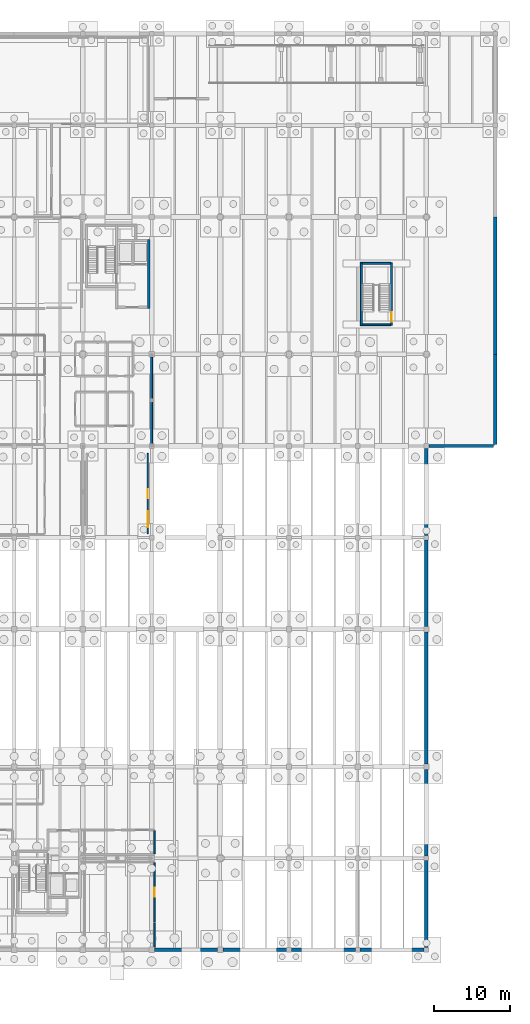
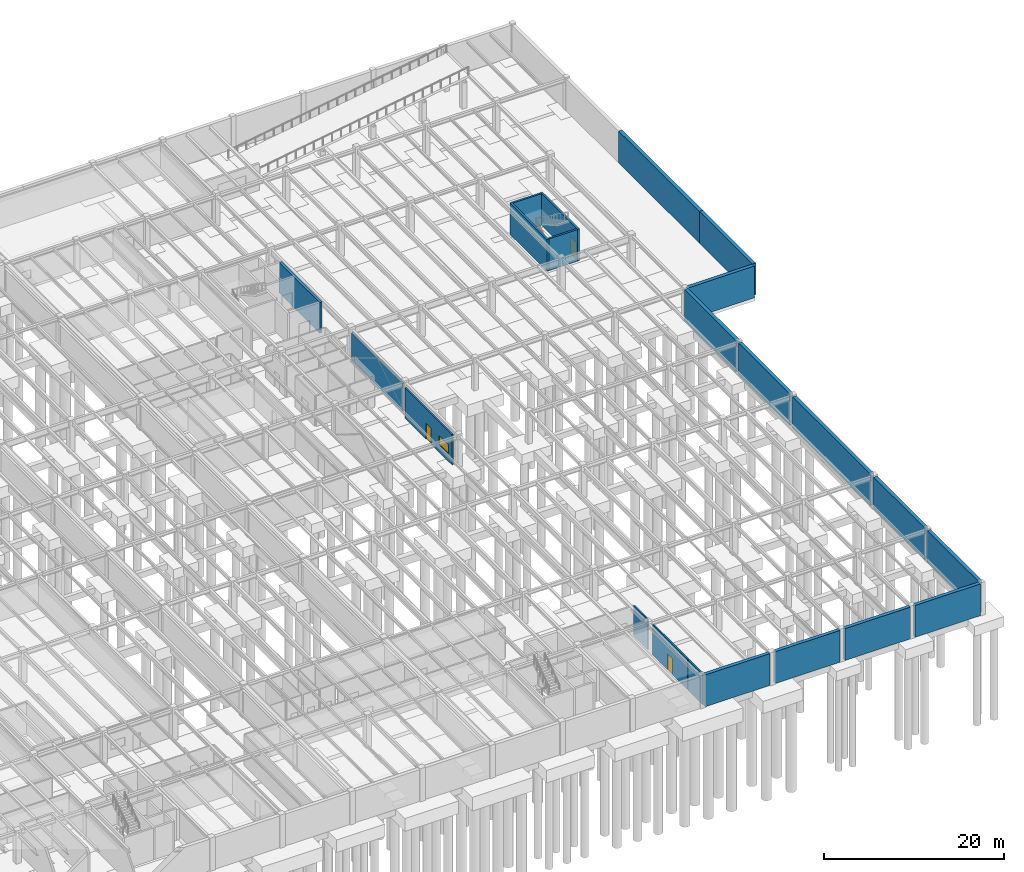
# One storey, part 34 of 40: 22 walls, 3 doors, 1 window, 4 openings.
"""IFC4 building model written with IfcOpenShell, lengths in metres."""

from ifc_helpers import new_model, si_unit, direction, frame, frame_2d, origin, place, context, subcontext, project, spatial, rectangle, extrude, material, layer, layer_set, type_object, element, fill, save


model = new_model("IFC4")

# Units and contexts
model_context = context("Model", 3, precision=1e-05, world=origin(), true_north=direction((0.0, 1.0)))
body_context = subcontext(model_context, "Body", "Model", "MODEL_VIEW")
ifc_project = project(units=[si_unit("LENGTHUNIT", "METRE"), si_unit("AREAUNIT", "SQUARE_METRE"), si_unit("VOLUMEUNIT", "CUBIC_METRE"), si_unit("PLANEANGLEUNIT", "RADIAN"), si_unit("MASSUNIT", "GRAM", prefix="KILO")], contexts=[model_context])

# Site, building, storey
site_placement = place(None, origin())
site = spatial("IfcSite", under=ifc_project, at=site_placement, CompositionType="ELEMENT")
building_placement = place(site_placement, origin())
building = spatial("IfcBuilding", under=site, at=building_placement, Name="Montelvaro Courts of Justice", CompositionType="ELEMENT")
storey_placement = place(building_placement, frame((0.0, 0.0, -4.5)))
storey = spatial("IfcBuildingStorey", under=building, at=storey_placement, Name="B01", CompositionType="ELEMENT", Elevation=-4.5)

# Walls
ifc_material_1 = material(Name="Concrete C40/50", Category="concrete")
ifc_layer_1 = layer(ifc_material_1, 0.320068359375)
ifc_layer_set_1 = layer_set([ifc_layer_1], Name="Concrete C40/50")
wall_type_1 = type_object("IfcWallType", Name="CoreWall_320", PredefinedType="SHEAR", material=ifc_layer_set_1)
wall_1_placement = place(storey_placement, frame((125.60009765625, 84.0, 0.0), z_axis=(0.0, 0.0, 1.0), x_axis=(0.0, 1.0, 0.0)))
element("IfcWall", 1, at=wall_1_placement, inside=storey, type_object=wall_type_1, Name="Core Shear Wall CW-02 K3-E (B01)", PredefinedType="SHEAR", context=body_context, shape_type="SweptSolid", body=[
    extrude(rectangle(XDim=9.0400390625, YDim=0.320068359375, at=frame_2d((4.52001953125, 0.0))), origin(), (0.0, 0.0, 1.0), 4.159912109375),
])
ifc_material_2 = material(Name="Fire-rated gypsum and steel stud", Category="steel")
ifc_layer_2 = layer(ifc_material_2, 0.179931640625)
ifc_layer_set_2 = layer_set([ifc_layer_2], Name="Fire-rated gypsum and steel stud")
wall_type_2 = type_object("IfcWallType", Name="CorridorFireWall_180", PredefinedType="PARTITIONING", material=ifc_layer_set_2)
wall_2_placement = place(storey_placement, frame((126.39990234375, 3.52001953125, 0.0), z_axis=(0.0, 0.0, 1.0), x_axis=(0.0, -1.0, 0.0)))
element("IfcWall", 2, at=wall_2_placement, inside=storey, type_object=wall_type_2, Name="Interior Partition IW-02 (B01)", PredefinedType="PARTITIONING", context=body_context, shape_type="SweptSolid", body=[
    extrude(rectangle(XDim=3.174072265625, YDim=0.179931640625, at=frame_2d((1.5869140625, 0.0))), origin(), (0.0, 0.0, 1.0), 4.139892578125),
])

# Wall, opening, door
wall_3_placement = place(storey_placement, frame((126.39990234375, 11.419921875, 0.0), z_axis=(0.0, 0.0, 1.0), x_axis=(0.0, -1.0, 0.0)))
wall_3 = element("IfcWall", 3, at=wall_3_placement, inside=storey, type_object=wall_type_2, Name="Interior Partition IW-02 (B01)", PredefinedType="PARTITIONING", context=body_context, shape_type="SweptSolid", body=[
    extrude(rectangle(XDim=7.739990234375, YDim=0.179931640625, at=frame_2d((3.8701171875, 0.0))), origin(), (0.0, 0.0, 1.0), 4.139892578125),
])
opening_1_placement = place(wall_3_placement, frame((3.294921875, 0.0, 0.0)))
opening_1 = element("IfcOpeningElement", 4, at=opening_1_placement, cuts=wall_3, Name="Opening D-B01-016", PredefinedType="OPENING", context=body_context, shape_type="SweptSolid", body=[
    extrude(rectangle(XDim=1.14990234375, YDim=2.14990234375, at=frame_2d((0.574951171875, 1.074951171875))), frame((0.0, 0.10498046875, 0.0), z_axis=(0.0, -1.0, 0.0), x_axis=(1.0, 0.0, 0.0)), (0.0, 0.0, 1.0), 0.209716796875),
])
ifc_material_3 = material(Name="Galvanised steel S355 security door", Category="steel")
door_type_1 = type_object("IfcDoorType", Name="CustodyDoor_115x215", OperationType="NOTDEFINED", PredefinedType="DOOR", material=ifc_material_3)
door_1_placement = place(opening_1_placement, origin())
door_1 = element("IfcDoor", 5, at=door_1_placement, inside=storey, type_object=door_type_1, Name="Interior Door D-B01-016 (Archive Conservation Room)", OperationType="SINGLE_SWING_RIGHT", OverallHeight=2.14990234375, OverallWidth=1.14990234375, PredefinedType="DOOR", context=body_context, shape_type="SweptSolid", body=[
    extrude(rectangle(XDim=1.14990234375, YDim=2.14990234375, at=frame_2d((0.574951171875, 1.074951171875))), frame((0.0, 0.02490234375, 0.0), z_axis=(0.0, -1.0, 0.0), x_axis=(1.0, 0.0, 0.0)), (0.0, 0.0, 1.0), 0.050048828125),
])
fill(opening_1, door_1)

# Wall
wall_4_placement = place(storey_placement, frame((126.39990234375, 15.6201171875, 0.0), z_axis=(0.0, 0.0, 1.0), x_axis=(0.0, -1.0, 0.0)))
element("IfcWall", 6, at=wall_4_placement, inside=storey, type_object=wall_type_2, Name="Interior Partition IW-02 (B01)", PredefinedType="PARTITIONING", context=body_context, shape_type="SweptSolid", body=[
    extrude(rectangle(XDim=3.0400390625, YDim=0.179931640625, at=frame_2d((1.52001953125, 0.0))), origin(), (0.0, 0.0, 1.0), 4.139892578125),
])

# Wall, openings, door, window
wall_5_placement = place(storey_placement, frame((125.5, 65.02001953125, 0.0), z_axis=(0.0, 0.0, 1.0), x_axis=(0.0, -1.0, 0.0)))
wall_5 = element("IfcWall", 7, at=wall_5_placement, inside=storey, type_object=wall_type_2, Name="Interior Partition IW-02 (B01)", PredefinedType="PARTITIONING", context=body_context, shape_type="SweptSolid", body=[
    extrude(rectangle(XDim=10.5400390625, YDim=0.179931640625, at=frame_2d((5.27001953125, 0.0))), origin(), (0.0, 0.0, 1.0), 4.139892578125),
])
opening_2_placement = place(wall_5_placement, frame((4.695068359375, 0.0, 0.0)))
opening_2 = element("IfcOpeningElement", 8, at=opening_2_placement, cuts=wall_5, Name="Opening D-B01-019", PredefinedType="OPENING", context=body_context, shape_type="SweptSolid", body=[
    extrude(rectangle(XDim=1.14990234375, YDim=2.14990234375, at=frame_2d((0.574951171875, 1.074951171875))), frame((0.0, 0.10498046875, 0.0), z_axis=(0.0, -1.0, 0.0), x_axis=(1.0, 0.0, 0.0)), (0.0, 0.0, 1.0), 0.209716796875),
])
opening_3_placement = place(wall_5_placement, frame((7.590087890625, 0.0, 1.050048828125)))
opening_3 = element("IfcOpeningElement", 9, at=opening_3_placement, cuts=wall_5, Name="Opening WI-04", PredefinedType="OPENING", context=body_context, shape_type="SweptSolid", body=[
    extrude(rectangle(XDim=2.10009765625, YDim=1.199951171875, at=frame_2d((1.050048828125, 0.60009765625))), frame((0.0, 0.10498046875, 0.0), z_axis=(0.0, -1.0, 0.0), x_axis=(1.0, 0.0, 0.0)), (0.0, 0.0, 1.0), 0.209716796875),
])
door_2_placement = place(opening_2_placement, frame((1.14990234375, 0.0, 0.0), z_axis=(0.0, 0.0, 1.0), x_axis=(-1.0, 0.0, 0.0)))
door_2 = element("IfcDoor", 10, at=door_2_placement, inside=storey, type_object=door_type_1, Name="Interior Door D-B01-019 (Mechanical Chiller and Pump Plant Room)", OperationType="SINGLE_SWING_RIGHT", OverallHeight=2.14990234375, OverallWidth=1.14990234375, PredefinedType="DOOR", context=body_context, shape_type="SweptSolid", body=[
    extrude(rectangle(XDim=1.14990234375, YDim=2.14990234375, at=frame_2d((0.574951171875, 1.074951171875))), frame((0.0, 0.02490234375, 0.0), z_axis=(0.0, -1.0, 0.0), x_axis=(1.0, 0.0, 0.0)), (0.0, 0.0, 1.0), 0.050048828125),
])
fill(opening_2, door_2)
ifc_material_4 = material(Name="Acoustic laminated double glazing", Category="glass")
window_type = type_object("IfcWindowType", Name="IntVision_210x120", PartitioningType="SINGLE_PANEL", PredefinedType="WINDOW", material=ifc_material_4)
window_placement = place(opening_3_placement, origin())
window = element("IfcWindow", 11, at=window_placement, inside=storey, type_object=window_type, Name="Interior Vision Panel WI-012", OverallHeight=1.199951171875, OverallWidth=2.10009765625, PartitioningType="SINGLE_PANEL", PredefinedType="WINDOW", context=body_context, shape_type="SweptSolid", body=[
    extrude(rectangle(XDim=2.10009765625, YDim=1.199951171875, at=frame_2d((1.050048828125, 0.60009765625))), frame((0.0, 0.030029296875, 0.0), z_axis=(0.0, -1.0, 0.0), x_axis=(1.0, 0.0, 0.0)), (0.0, 0.0, 1.0), 0.06005859375),
])
fill(opening_3, window)

# Walls
ifc_material_5 = material(Name="Concrete C35/45", Category="concrete")
ifc_layer_3 = layer(ifc_material_5, 0.449951171875)
ifc_layer_set_3 = layer_set([ifc_layer_3], Name="Concrete C35/45")
wall_type_3 = type_object("IfcWallType", Name="RetainingWall_450", PredefinedType="USERDEFINED", material=ifc_layer_set_3)
wall_6_placement = place(storey_placement, frame((126.345947265625, 0.0, 0.0), z_axis=(0.0, 0.0, 1.0), x_axis=(1.0, 0.0, 0.0)))
element("IfcWall", 12, at=wall_6_placement, inside=storey, type_object=wall_type_3, Name="Basement Plinth Retaining Wall RW-01-004", ObjectType="RETAININGWALL", PredefinedType="USERDEFINED", context=body_context, shape_type="SweptSolid", body=[
    extrude(rectangle(XDim=8.307861328125, YDim=0.449951171875, at=frame_2d((4.15380859375, 0.0))), origin(), (0.0, 0.0, 1.0), 4.320068359375),
])
wall_7_placement = place(storey_placement, frame((135.3662109375, 0.0, 0.0), z_axis=(0.0, 0.0, 1.0), x_axis=(1.0, 0.0, 0.0)))
element("IfcWall", 13, at=wall_7_placement, inside=storey, type_object=wall_type_3, Name="Basement Plinth Retaining Wall RW-01-005", ObjectType="RETAININGWALL", PredefinedType="USERDEFINED", context=body_context, shape_type="SweptSolid", body=[
    extrude(rectangle(XDim=8.337890625, YDim=0.449951171875, at=frame_2d((4.1689453125, 0.0))), origin(), (0.0, 0.0, 1.0), 4.320068359375),
])
wall_8_placement = place(storey_placement, frame((144.2958984375, 0.0, 0.0), z_axis=(0.0, 0.0, 1.0), x_axis=(1.0, 0.0, 0.0)))
element("IfcWall", 14, at=wall_8_placement, inside=storey, type_object=wall_type_3, Name="Basement Plinth Retaining Wall RW-01-006", ObjectType="RETAININGWALL", PredefinedType="USERDEFINED", context=body_context, shape_type="SweptSolid", body=[
    extrude(rectangle(XDim=8.408203125, YDim=0.449951171875, at=frame_2d((4.2041015625, 0.0))), origin(), (0.0, 0.0, 1.0), 4.320068359375),
])
wall_9_placement = place(storey_placement, frame((153.2958984375, 0.0, 0.0), z_axis=(0.0, 0.0, 1.0), x_axis=(1.0, 0.0, 0.0)))
element("IfcWall", 15, at=wall_9_placement, inside=storey, type_object=wall_type_3, Name="Basement Plinth Retaining Wall RW-01-007", ObjectType="RETAININGWALL", PredefinedType="USERDEFINED", context=body_context, shape_type="SweptSolid", body=[
    extrude(rectangle(XDim=8.407958984375, YDim=0.449951171875, at=frame_2d((4.2041015625, 0.0))), origin(), (0.0, 0.0, 1.0), 4.320068359375),
])
wall_10_placement = place(storey_placement, frame((162.0, 0.296142578125, 0.0), z_axis=(0.0, 0.0, 1.0), x_axis=(0.0, 1.0, 0.0)))
element("IfcWall", 16, at=wall_10_placement, inside=storey, type_object=wall_type_3, Name="Basement Plinth Retaining Wall RW-01-008", ObjectType="RETAININGWALL", PredefinedType="USERDEFINED", context=body_context, shape_type="SweptSolid", body=[
    extrude(rectangle(XDim=11.407958984375, YDim=0.449951171875, at=frame_2d((5.7041015625, 0.0))), origin(), (0.0, 0.0, 1.0), 4.320068359375),
])
wall_11_placement = place(storey_placement, frame((162.0, 12.2958984375, 0.0), z_axis=(0.0, 0.0, 1.0), x_axis=(0.0, 1.0, 0.0)))
element("IfcWall", 17, at=wall_11_placement, inside=storey, type_object=wall_type_3, Name="Basement Plinth Retaining Wall RW-01-009", ObjectType="RETAININGWALL", PredefinedType="USERDEFINED", context=body_context, shape_type="SweptSolid", body=[
    extrude(rectangle(XDim=11.358154296875, YDim=0.449951171875, at=frame_2d((5.67919921875, 0.0))), origin(), (0.0, 0.0, 1.0), 4.320068359375),
])
wall_12_placement = place(storey_placement, frame((162.0, 24.345947265625, 0.0), z_axis=(0.0, 0.0, 1.0), x_axis=(0.0, 1.0, 0.0)))
element("IfcWall", 18, at=wall_12_placement, inside=storey, type_object=wall_type_3, Name="Basement Plinth Retaining Wall RW-01-010", ObjectType="RETAININGWALL", PredefinedType="USERDEFINED", context=body_context, shape_type="SweptSolid", body=[
    extrude(rectangle(XDim=17.30810546875, YDim=0.449951171875, at=frame_2d((8.654052734375, 0.0))), origin(), (0.0, 0.0, 1.0), 4.320068359375),
])
wall_13_placement = place(storey_placement, frame((162.0, 42.345947265625, 0.0), z_axis=(0.0, 0.0, 1.0), x_axis=(0.0, 1.0, 0.0)))
element("IfcWall", 19, at=wall_13_placement, inside=storey, type_object=wall_type_3, Name="Basement Plinth Retaining Wall RW-01-011", ObjectType="RETAININGWALL", PredefinedType="USERDEFINED", context=body_context, shape_type="SweptSolid", body=[
    extrude(rectangle(XDim=11.358154296875, YDim=0.449951171875, at=frame_2d((5.67919921875, 0.0))), origin(), (0.0, 0.0, 1.0), 4.320068359375),
])
wall_14_placement = place(storey_placement, frame((162.0, 54.2958984375, 0.0), z_axis=(0.0, 0.0, 1.0), x_axis=(0.0, 1.0, 0.0)))
element("IfcWall", 20, at=wall_14_placement, inside=storey, type_object=wall_type_3, Name="Basement Plinth Retaining Wall RW-01-012", ObjectType="RETAININGWALL", PredefinedType="USERDEFINED", context=body_context, shape_type="SweptSolid", body=[
    extrude(rectangle(XDim=11.398193359375, YDim=0.449951171875, at=frame_2d((5.69921875, 0.0))), origin(), (0.0, 0.0, 1.0), 4.320068359375),
])
wall_15_placement = place(storey_placement, frame((162.305908203125, 66.0, 0.0), z_axis=(0.0, 0.0, 1.0), x_axis=(1.0, 0.0, 0.0)))
element("IfcWall", 21, at=wall_15_placement, inside=storey, type_object=wall_type_3, Name="Basement Plinth Retaining Wall RW-01-013", ObjectType="RETAININGWALL", PredefinedType="USERDEFINED", context=body_context, shape_type="SweptSolid", body=[
    extrude(rectangle(XDim=8.468994140625, YDim=0.449951171875, at=frame_2d((4.234375, 0.0))), origin(), (0.0, 0.0, 1.0), 4.320068359375),
])
wall_16_placement = place(storey_placement, frame((171.0, 66.22509765625, 0.0), z_axis=(0.0, 0.0, 1.0), x_axis=(0.0, 1.0, 0.0)))
element("IfcWall", 22, at=wall_16_placement, inside=storey, type_object=wall_type_3, Name="Basement Plinth Retaining Wall RW-01-014", ObjectType="RETAININGWALL", PredefinedType="USERDEFINED", context=body_context, shape_type="SweptSolid", body=[
    extrude(rectangle(XDim=11.77490234375, YDim=0.449951171875, at=frame_2d((5.887451171875, 0.0))), origin(), (0.0, 0.0, 1.0), 4.320068359375),
])
wall_17_placement = place(storey_placement, frame((171.0, 78.0, 0.0), z_axis=(0.0, 0.0, 1.0), x_axis=(0.0, 1.0, 0.0)))
element("IfcWall", 23, at=wall_17_placement, inside=storey, type_object=wall_type_3, Name="Basement Plinth Retaining Wall RW-01-015", ObjectType="RETAININGWALL", PredefinedType="USERDEFINED", context=body_context, shape_type="SweptSolid", body=[
    extrude(rectangle(XDim=18.0, YDim=0.449951171875, at=frame_2d((9.0, 0.0))), origin(), (0.0, 0.0, 1.0), 4.320068359375),
])
ifc_layer_4 = layer(ifc_material_5, 0.239990234375)
ifc_layer_set_4 = layer_set([ifc_layer_4], Name="Concrete C35/45")
wall_type_4 = type_object("IfcWallType", Name="ShaftWall_240", PredefinedType="SHEAR", material=ifc_layer_set_4)
wall_18_placement = place(storey_placement, frame((153.47998046875, 81.760009765625, 0.0), z_axis=(0.0, 0.0, 1.0), x_axis=(0.0, 1.0, 0.0)))
element("IfcWall", 24, at=wall_18_placement, inside=storey, type_object=wall_type_4, Name="Protected Stair Structural Wall ST-V2-W (B01)", PredefinedType="SHEAR", context=body_context, shape_type="SweptSolid", body=[
    extrude(rectangle(XDim=8.280029296875, YDim=0.239990234375, at=frame_2d((4.14013671875, 0.0))), origin(), (0.0, 0.0, 1.0), 4.31005859375),
])

# Wall, opening, door
wall_19_placement = place(storey_placement, frame((157.419921875, 81.760009765625, 0.0), z_axis=(0.0, 0.0, 1.0), x_axis=(0.0, 1.0, 0.0)))
wall_19 = element("IfcWall", 25, at=wall_19_placement, inside=storey, type_object=wall_type_4, Name="Protected Stair Structural Wall ST-V2-E (B01)", PredefinedType="SHEAR", context=body_context, shape_type="SweptSolid", body=[
    extrude(rectangle(XDim=8.280029296875, YDim=0.239990234375, at=frame_2d((4.14013671875, 0.0))), origin(), (0.0, 0.0, 1.0), 4.31005859375),
])
opening_4_placement = place(wall_19_placement, frame((0.489990234375, 0.0, 0.0)))
opening_4 = element("IfcOpeningElement", 26, at=opening_4_placement, cuts=wall_19, Name="Opening DS-B01-SV2", PredefinedType="OPENING", context=body_context, shape_type="SweptSolid", body=[
    extrude(rectangle(XDim=1.300048828125, YDim=2.199951171875, at=frame_2d((0.64990234375, 1.10009765625))), frame((0.0, 0.134765625, 0.0), z_axis=(0.0, -1.0, 0.0), x_axis=(1.0, 0.0, 0.0)), (0.0, 0.0, 1.0), 0.269775390625),
])
door_type_2 = type_object("IfcDoorType", Name="StairFireDoor_130x220", OperationType="NOTDEFINED", PredefinedType="DOOR", material=ifc_material_3)
door_3_placement = place(opening_4_placement, frame((1.300048828125, 0.0, 0.0), z_axis=(0.0, 0.0, 1.0), x_axis=(-1.0, 0.0, 0.0)))
door_3 = element("IfcDoor", 27, at=door_3_placement, inside=storey, type_object=door_type_2, Name="Protected Stair Fire Door DS-B01-SV2", OperationType="SINGLE_SWING_RIGHT", OverallHeight=2.199951171875, OverallWidth=1.300048828125, PredefinedType="DOOR", context=body_context, shape_type="SweptSolid", body=[
    extrude(rectangle(XDim=1.300048828125, YDim=2.199951171875, at=frame_2d((0.64990234375, 1.10009765625))), frame((0.0, 0.02490234375, 0.0), z_axis=(0.0, -1.0, 0.0), x_axis=(1.0, 0.0, 0.0)), (0.0, 0.0, 1.0), 0.050048828125),
])
fill(opening_4, door_3)

# Walls
for number, where, z_axis, x_axis, name in (
    (28, (153.60009765625, 81.8798828125, 0.0), (0.0, 0.0, 1.0), (1.0, 0.0, 0.0), "Protected Stair Structural Wall ST-V2-S (B01)"),
    (29, (153.60009765625, 89.919921875, 0.0), (0.0, 0.0, 1.0), (1.0, 0.0, 0.0), "Protected Stair Structural Wall ST-V2-N (B01)"),
):
    element("IfcWall", number, at=place(storey_placement, frame(where, z_axis=z_axis, x_axis=x_axis)), inside=storey, type_object=wall_type_4, Name=name, PredefinedType="SHEAR", context=body_context, shape_type="SweptSolid", body=[
        extrude(rectangle(XDim=3.699951171875, YDim=0.239990234375, at=frame_2d((1.85009765625, 0.0))), origin(), (0.0, 0.0, 1.0), 4.31005859375),
    ])
wall_20_placement = place(storey_placement, frame((126.0, 66.2958984375, 0.0), z_axis=(0.0, 0.0, 1.0), x_axis=(0.0, 1.0, 0.0)))
element("IfcWall", 30, at=wall_20_placement, inside=storey, type_object=wall_type_4, Name="Enclosed Braced Frame Structural Wall CBF3 (B01)", PredefinedType="SHEAR", context=body_context, shape_type="SweptSolid", body=[
    extrude(rectangle(XDim=11.358154296875, YDim=0.239990234375, at=frame_2d((5.67919921875, 0.0))), origin(), (0.0, 0.0, 1.0), 3.7548828125),
])

save(model, "model.ifc")
